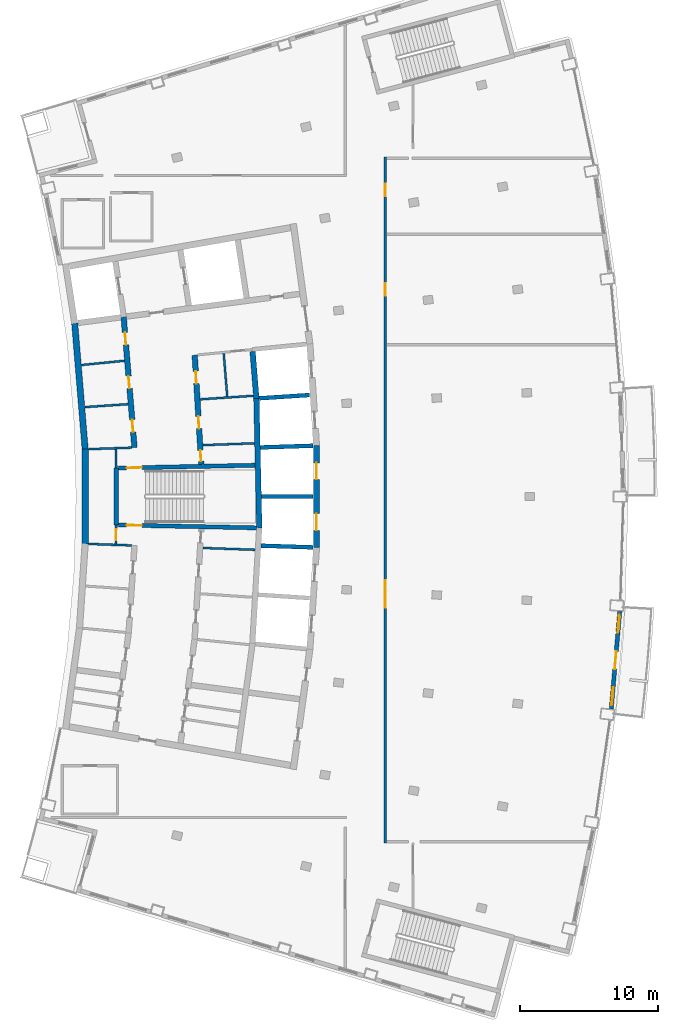
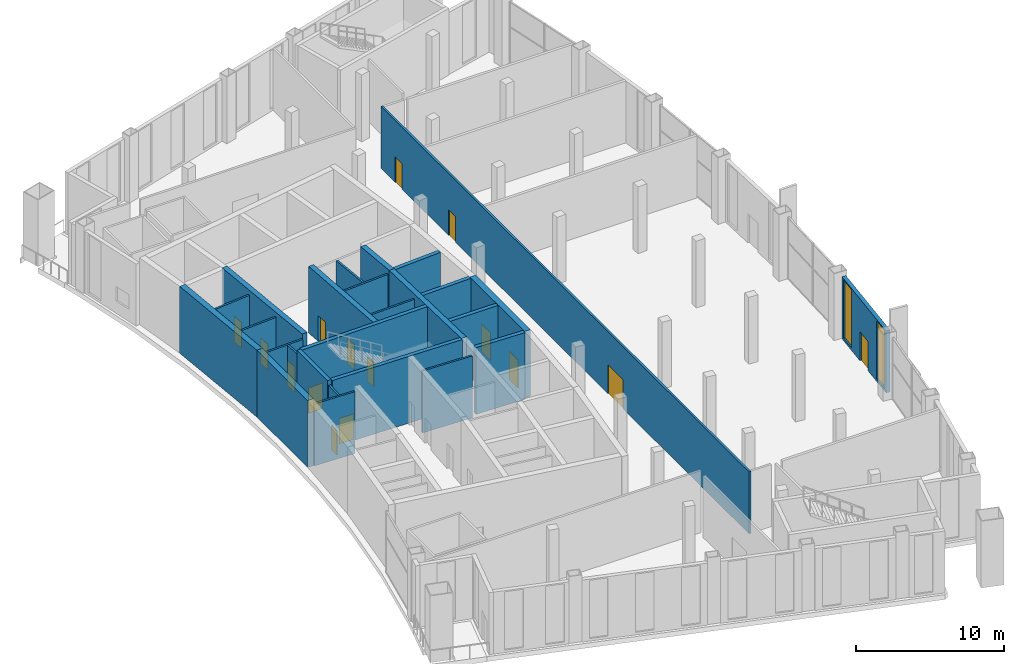
# One storey, part 8 of 13: 26 walls, 15 doors, 2 windows, 17 openings.
"""IFC4 building model written with IfcOpenShell, lengths in metres."""

from ifc_helpers import new_model, si_unit, direction, frame, frame_2d, origin, place, context, subcontext, project, spatial, rectangle, extrude, material, layer, layer_set, type_object, element, fill, save


model = new_model("IFC4")

# Units and contexts
model_context = context("Model", 3, precision=1e-05, world=origin(), true_north=direction((0.0, 1.0)))
body_context = subcontext(model_context, "Body", "Model", "MODEL_VIEW")
ifc_project = project(units=[si_unit("LENGTHUNIT", "METRE"), si_unit("AREAUNIT", "SQUARE_METRE"), si_unit("VOLUMEUNIT", "CUBIC_METRE"), si_unit("PLANEANGLEUNIT", "RADIAN"), si_unit("MASSUNIT", "GRAM", prefix="KILO")], contexts=[model_context])

# Site, building, storey
site_placement = place(None, origin())
site = spatial("IfcSite", under=ifc_project, at=site_placement, CompositionType="ELEMENT")
building_placement = place(site_placement, origin())
building = spatial("IfcBuilding", under=site, at=building_placement, Name="Alderwake Tower", CompositionType="ELEMENT")
storey_placement = place(building_placement, frame((0.0, 0.0, 304.5)))
storey = spatial("IfcBuildingStorey", under=building, at=storey_placement, Name="L74", CompositionType="ELEMENT", Elevation=304.5)

# Walls
ifc_material_1 = material(Name="Gypsum shaft wall system, rated")
ifc_layer_1 = layer(ifc_material_1, 0.14990234375)
ifc_layer_set_1 = layer_set([ifc_layer_1], Name="Core riser partition 150")
wall_type_1 = type_object("IfcWallType", Name="Core riser partition 150", PredefinedType="PARTITIONING", material=ifc_layer_set_1)
wall_1_placement = place(storey_placement, frame((25.1904296875, 57.276611328125, 0.0), z_axis=(0.0, 0.0, 1.0), x_axis=(0.999373547283, -0.03539086028, 0.0)))
element("IfcWall", 1, at=wall_1_placement, inside=storey, type_object=wall_type_1, Name="CW/L74/PR-37_+86", PredefinedType="PARTITIONING", context=body_context, shape_type="SweptSolid", body=[
    extrude(rectangle(XDim=3.794189453125, YDim=0.14990234375, at=frame_2d((1.89697265625, 0.0))), origin(), (0.0, 0.0, 1.0), 5.10009765625),
])
wall_2_placement = place(storey_placement, frame((25.191162109375, 64.723388671875, 0.0), z_axis=(0.0, 0.0, 1.0), x_axis=(0.999373256208, 0.035399078746, 0.0)))
element("IfcWall", 2, at=wall_2_placement, inside=storey, type_object=wall_type_1, Name="CW/L74/PR+37_+86", PredefinedType="PARTITIONING", context=body_context, shape_type="SweptSolid", body=[
    extrude(rectangle(XDim=3.751953125, YDim=0.14990234375, at=frame_2d((1.8759765625, 0.0))), origin(), (0.0, 0.0, 1.0), 5.10009765625),
])

# Wall, opening, door
ifc_material_2 = material(Name="Gypsum shaft wall system, rated")
ifc_layer_2 = layer(ifc_material_2, 0.14990234375)
ifc_layer_set_2 = layer_set([ifc_layer_2], Name="Core room partition 150")
wall_type_2 = type_object("IfcWallType", Name="Core room partition 150", PredefinedType="PARTITIONING", material=ifc_layer_set_2)
wall_3_placement = place(storey_placement, frame((18.918701171875, 58.94384765625, 0.0), z_axis=(0.0, 0.0, 1.0), x_axis=(-0.027811602725, -0.999613182563, 0.0)))
wall_3 = element("IfcWall", 3, at=wall_3_placement, inside=storey, type_object=wall_type_2, Name="CW/L74/PA+24_-37", PredefinedType="PARTITIONING", context=body_context, shape_type="SweptSolid", body=[
    extrude(rectangle(XDim=1.369384765625, YDim=0.14990234375, at=frame_2d((0.6845703125, 0.0))), origin(), (0.0, 0.0, 1.0), 5.10009765625),
])
opening_1_placement = place(wall_3_placement, frame((0.322998046875, 0.0, 0.0)))
opening_1 = element("IfcOpeningElement", 4, at=opening_1_placement, cuts=wall_3, Name="Opening C004", PredefinedType="OPENING", context=body_context, shape_type="SweptSolid", body=[
    extrude(rectangle(XDim=0.800048828125, YDim=2.0, at=frame_2d((0.39990234375, 1.0))), frame((0.0, 0.0849609375, 0.0), z_axis=(0.0, -1.0, 0.0), x_axis=(1.0, 0.0, 0.0)), (0.0, 0.0, 1.0), 0.169921875),
])
ifc_material_3 = material(Name="Painted steel leaf, rated", Category="steel")
door_type_1 = type_object("IfcDoorType", Name="Riser access door 800", OperationType="SINGLE_SWING_LEFT", PredefinedType="DOOR", material=ifc_material_3)
door_1_placement = place(opening_1_placement, origin())
door_1 = element("IfcDoor", 5, at=door_1_placement, inside=storey, type_object=door_type_1, Name="Riser access door", OperationType="SINGLE_SWING_RIGHT", OverallHeight=2.0, OverallWidth=0.800048828125, PredefinedType="DOOR", context=body_context, shape_type="SweptSolid", body=[
    extrude(rectangle(XDim=0.800048828125, YDim=2.0, at=frame_2d((0.39990234375, 1.0))), frame((0.0, 0.02490234375, 0.0), z_axis=(0.0, -1.0, 0.0), x_axis=(1.0, 0.0, 0.0)), (0.0, 0.0, 1.0), 0.050048828125),
])
fill(opening_1, door_1)

# Walls
wall_4_placement = place(storey_placement, frame((18.918701171875, 63.05517578125, 0.0), z_axis=(0.0, 0.0, 1.0), x_axis=(-0.027791791559, 0.99961373356, 0.0)))
element("IfcWall", 6, at=wall_4_placement, inside=storey, type_object=wall_type_2, Name="CW/L74/PA+24_+22", PredefinedType="PARTITIONING", context=body_context, shape_type="SweptSolid", body=[
    extrude(rectangle(XDim=1.370361328125, YDim=0.14990234375, at=frame_2d((0.68505859375, 0.0))), origin(), (0.0, 0.0, 1.0), 5.10009765625),
])
wall_5_placement = place(storey_placement, frame((26.954833984375, 68.245361328125, 0.0), z_axis=(0.0, 0.0, 1.0), x_axis=(-0.082122484008, 0.996622244193, 0.0)))
element("IfcWall", 7, at=wall_5_placement, inside=storey, type_object=wall_type_2, Name="CW/L74/PA+107_+70", PredefinedType="PARTITIONING", context=body_context, shape_type="SweptSolid", body=[
    extrude(rectangle(XDim=3.13037109375, YDim=0.14990234375, at=frame_2d((1.565185546875, 0.0))), origin(), (0.0, 0.0, 1.0), 5.10009765625),
])
for number, where, z_axis, x_axis, name in (
    (8, (16.91943359375, 57.5693359375, 0.0), (0.0, 0.0, 1.0), (0.99937416876, -0.035373306522, 0.0), "CW/L74/PR-37_+0"),
    (9, (16.91943359375, 64.4306640625, 0.0), (0.0, 0.0, 1.0), (0.99937416876, 0.035373306522, 0.0), "CW/L74/PR+37_+0"),
):
    element("IfcWall", number, at=place(storey_placement, frame(where, z_axis=z_axis, x_axis=x_axis)), inside=storey, type_object=wall_type_2, Name=name, PredefinedType="PARTITIONING", context=body_context, shape_type="SweptSolid", body=[
        extrude(rectangle(XDim=3.11962890625, YDim=0.14990234375, at=frame_2d((1.559814453125, 0.0))), origin(), (0.0, 0.0, 1.0), 5.10009765625),
    ])
wall_6_placement = place(storey_placement, frame((16.666748046875, 67.48046875, 0.0), z_axis=(0.0, 0.0, 1.0), x_axis=(0.997759431971, 0.066903781007, 0.0)))
element("IfcWall", 10, at=wall_6_placement, inside=storey, type_object=wall_type_2, Name="CW/L74/PR+70_+0", PredefinedType="PARTITIONING", context=body_context, shape_type="SweptSolid", body=[
    extrude(rectangle(XDim=3.116455078125, YDim=0.14990234375, at=frame_2d((1.55810546875, 0.0))), origin(), (0.0, 0.0, 1.0), 5.10009765625),
])
wall_7_placement = place(storey_placement, frame((24.992431640625, 68.038818359375, 0.0), z_axis=(0.0, 0.0, 1.0), x_axis=(0.997760236964, 0.066891774789, 0.0)))
element("IfcWall", 11, at=wall_7_placement, inside=storey, type_object=wall_type_2, Name="CW/L74/PR+70_+86", PredefinedType="PARTITIONING", context=body_context, shape_type="SweptSolid", body=[
    extrude(rectangle(XDim=3.86865234375, YDim=0.14990234375, at=frame_2d((1.934326171875, 0.0))), origin(), (0.0, 0.0, 1.0), 5.10009765625),
])
wall_8_placement = place(storey_placement, frame((16.4140625, 70.52734375, 0.0), z_axis=(0.0, 0.0, 1.0), x_axis=(0.995155156245, 0.098316911052, 0.0)))
element("IfcWall", 12, at=wall_8_placement, inside=storey, type_object=wall_type_2, Name="CW/L74/PR+103_+0", PredefinedType="PARTITIONING", context=body_context, shape_type="SweptSolid", body=[
    extrude(rectangle(XDim=3.116455078125, YDim=0.14990234375, at=frame_2d((1.55810546875, 0.0))), origin(), (0.0, 0.0, 1.0), 5.10009765625),
])
ifc_material_4 = material(Name="Concrete C70/85", Category="concrete")
ifc_layer_3 = layer(ifc_material_4, 0.449951171875)
ifc_layer_set_3 = layer_set([ifc_layer_3], Name="Core wall outer 450 C70-85")
wall_type_3 = type_object("IfcWallType", Name="Core wall outer 450 C70-85", PredefinedType="SHEAR", material=ifc_layer_set_3)
wall_9_placement = place(storey_placement, frame((16.66455078125, 57.5703125, 0.0), z_axis=(0.0, 0.0, 1.0), x_axis=(0.0, 1.0, 0.0)))
element("IfcWall", 13, at=wall_9_placement, inside=storey, type_object=wall_type_3, Name="Core wall CW.029", PredefinedType="SHEAR", context=body_context, shape_type="SweptSolid", body=[
    extrude(rectangle(XDim=6.861083984375, YDim=0.449951171875, at=frame_2d((3.4306640625, 0.0))), origin(), (0.0, 0.0, 1.0), 5.5),
])
wall_10_placement = place(storey_placement, frame((16.665283203125, 64.411865234375, 0.0), z_axis=(0.0, 0.0, 1.0), x_axis=(-0.082622520262, 0.9965809145, 0.0)))
element("IfcWall", 14, at=wall_10_placement, inside=storey, type_object=wall_type_3, Name="Core wall CW.026", PredefinedType="SHEAR", context=body_context, shape_type="SweptSolid", body=[
    extrude(rectangle(XDim=9.171875, YDim=0.449951171875, at=frame_2d((4.5859375, 0.0))), origin(), (0.0, 0.0, 1.0), 5.5),
])

# Wall, openings, doors
wall_11_placement = place(storey_placement, frame((33.4150390625, 57.30322265625, 0.0), z_axis=(0.0, 0.0, 1.0), x_axis=(0.0, 1.0, 0.0)))
wall_11 = element("IfcWall", 15, at=wall_11_placement, inside=storey, type_object=wall_type_3, Name="Core wall CW.023", PredefinedType="SHEAR", context=body_context, shape_type="SweptSolid", body=[
    extrude(rectangle(XDim=7.3935546875, YDim=0.449951171875, at=frame_2d((3.69677734375, 0.0))), origin(), (0.0, 0.0, 1.0), 5.5),
])
opening_2_placement = place(wall_11_placement, frame((1.251953125, 0.0, 0.0)))
opening_2 = element("IfcOpeningElement", 16, at=opening_2_placement, cuts=wall_11, Name="Opening LD-HP3", PredefinedType="OPENING", context=body_context, shape_type="SweptSolid", body=[
    extrude(rectangle(XDim=1.199951171875, YDim=2.300048828125, at=frame_2d((0.60009765625, 1.14990234375))), frame((0.0, 0.23486328125, 0.0), z_axis=(0.0, -1.0, 0.0), x_axis=(1.0, 0.0, 0.0)), (0.0, 0.0, 1.0), 0.469970703125),
])
opening_3_placement = place(wall_11_placement, frame((4.94140625, 0.0, 0.0)))
opening_3 = element("IfcOpeningElement", 17, at=opening_3_placement, cuts=wall_11, Name="Opening LD-HP4", PredefinedType="OPENING", context=body_context, shape_type="SweptSolid", body=[
    extrude(rectangle(XDim=1.199951171875, YDim=2.300048828125, at=frame_2d((0.60009765625, 1.14990234375))), frame((0.0, 0.23486328125, 0.0), z_axis=(0.0, -1.0, 0.0), x_axis=(1.0, 0.0, 0.0)), (0.0, 0.0, 1.0), 0.469970703125),
])
ifc_material_5 = material(Name="Stainless steel sliding leaf", Category="steel")
door_type_2 = type_object("IfcDoorType", Name="Lift landing door 1200", OperationType="SLIDING_TO_LEFT", PredefinedType="DOOR", material=ifc_material_5)
door_2_placement = place(opening_2_placement, origin())
door_2 = element("IfcDoor", 18, at=door_2_placement, inside=storey, type_object=door_type_2, Name="Lift landing door HP3", OperationType="SLIDING_TO_LEFT", OverallHeight=2.300048828125, OverallWidth=1.199951171875, PredefinedType="DOOR", context=body_context, shape_type="SweptSolid", body=[
    extrude(rectangle(XDim=1.199951171875, YDim=2.300048828125, at=frame_2d((0.60009765625, 1.14990234375))), frame((0.0, 0.02490234375, 0.0), z_axis=(0.0, -1.0, 0.0), x_axis=(1.0, 0.0, 0.0)), (0.0, 0.0, 1.0), 0.050048828125),
])
fill(opening_2, door_2)
door_3_placement = place(opening_3_placement, origin())
door_3 = element("IfcDoor", 19, at=door_3_placement, inside=storey, type_object=door_type_2, Name="Lift landing door HP4", OperationType="SLIDING_TO_LEFT", OverallHeight=2.300048828125, OverallWidth=1.199951171875, PredefinedType="DOOR", context=body_context, shape_type="SweptSolid", body=[
    extrude(rectangle(XDim=1.199951171875, YDim=2.300048828125, at=frame_2d((0.60009765625, 1.14990234375))), frame((0.0, 0.02490234375, 0.0), z_axis=(0.0, -1.0, 0.0), x_axis=(1.0, 0.0, 0.0)), (0.0, 0.0, 1.0), 0.050048828125),
])
fill(opening_3, door_3)

# Walls
ifc_material_6 = material(Name="Concrete C70/85", Category="concrete")
ifc_layer_4 = layer(ifc_material_6, 0.300048828125)
ifc_layer_set_4 = layer_set([ifc_layer_4], Name="Core wall shaft 300 C70-85")
wall_type_4 = type_object("IfcWallType", Name="Core wall shaft 300 C70-85", PredefinedType="SHEAR", material=ifc_layer_set_4)
wall_12_placement = place(storey_placement, frame((29.400634765625, 57.441650390625, 0.0), z_axis=(0.0, 0.0, 1.0), x_axis=(0.999473209295, -0.032454643762, 0.0)))
element("IfcWall", 20, at=wall_12_placement, inside=storey, type_object=wall_type_4, Name="Core wall CW.075", PredefinedType="SHEAR", context=body_context, shape_type="SweptSolid", body=[
    extrude(rectangle(XDim=3.76123046875, YDim=0.300048828125, at=frame_2d((1.880615234375, 0.0))), origin(), (0.0, 0.0, 1.0), 5.5),
])
wall_13_placement = place(storey_placement, frame((29.426025390625, 61.0, 0.0), z_axis=(0.0, 0.0, 1.0), x_axis=(1.0, 0.0, 0.0)))
element("IfcWall", 21, at=wall_13_placement, inside=storey, type_object=wall_type_4, Name="Core wall CW.048", PredefinedType="SHEAR", context=body_context, shape_type="SweptSolid", body=[
    extrude(rectangle(XDim=3.73388671875, YDim=0.300048828125, at=frame_2d((1.866943359375, 0.0))), origin(), (0.0, 0.0, 1.0), 5.5),
])
wall_14_placement = place(storey_placement, frame((29.347412109375, 64.556396484375, 0.0), z_axis=(0.0, 0.0, 1.0), x_axis=(0.999471295141, 0.032513538546, 0.0)))
element("IfcWall", 22, at=wall_14_placement, inside=storey, type_object=wall_type_4, Name="Core wall CW.058", PredefinedType="SHEAR", context=body_context, shape_type="SweptSolid", body=[
    extrude(rectangle(XDim=3.814453125, YDim=0.300048828125, at=frame_2d((1.9072265625, 0.0))), origin(), (0.0, 0.0, 1.0), 5.5),
])
wall_15_placement = place(storey_placement, frame((29.268798828125, 68.115478515625, 0.0), z_axis=(0.0, 0.0, 1.0), x_axis=(0.99788697526, 0.064973722435, 0.0)))
element("IfcWall", 23, at=wall_15_placement, inside=storey, type_object=wall_type_4, Name="Core wall CW.061", PredefinedType="SHEAR", context=body_context, shape_type="SweptSolid", body=[
    extrude(rectangle(XDim=3.659912109375, YDim=0.300048828125, at=frame_2d((1.830078125, 0.0))), origin(), (0.0, 0.0, 1.0), 5.5),
])

# Wall, openings, doors
ifc_material_7 = material(Name="Concrete C70/85", Category="concrete")
ifc_layer_5 = layer(ifc_material_7, 0.39990234375)
ifc_layer_set_5 = layer_set([ifc_layer_5], Name="Core wall spine 400 C70-85")
wall_type_5 = type_object("IfcWallType", Name="Core wall spine 400 C70-85", PredefinedType="SHEAR", material=ifc_layer_set_5)
wall_16_placement = place(storey_placement, frame((19.452392578125, 74.014892578125, 0.0), z_axis=(0.0, 0.0, 1.0), x_axis=(0.082628585297, -0.996580411654, 0.0)))
wall_16 = element("IfcWall", 24, at=wall_16_placement, inside=storey, type_object=wall_type_5, Name="Core wall CW.031", PredefinedType="SHEAR", context=body_context, shape_type="SweptSolid", body=[
    extrude(rectangle(XDim=9.499267578125, YDim=0.39990234375, at=frame_2d((4.74951171875, 0.0))), origin(), (0.0, 0.0, 1.0), 5.5),
])
opening_4_placement = place(wall_16_placement, frame((7.468017578125, 0.0, 0.0)))
opening_4 = element("IfcOpeningElement", 25, at=opening_4_placement, cuts=wall_16, Name="Opening C053", PredefinedType="OPENING", context=body_context, shape_type="SweptSolid", body=[
    extrude(rectangle(XDim=0.89990234375, YDim=2.10009765625, at=frame_2d((0.449951171875, 1.050048828125))), frame((0.0, 0.2099609375, 0.0), z_axis=(0.0, -1.0, 0.0), x_axis=(1.0, 0.0, 0.0)), (0.0, 0.0, 1.0), 0.419921875),
])
opening_5_placement = place(wall_16_placement, frame((4.30322265625, 0.0, 0.0)))
opening_5 = element("IfcOpeningElement", 26, at=opening_5_placement, cuts=wall_16, Name="Opening C055", PredefinedType="OPENING", context=body_context, shape_type="SweptSolid", body=[
    extrude(rectangle(XDim=0.89990234375, YDim=2.10009765625, at=frame_2d((0.449951171875, 1.050048828125))), frame((0.0, 0.2099609375, 0.0), z_axis=(0.0, -1.0, 0.0), x_axis=(1.0, 0.0, 0.0)), (0.0, 0.0, 1.0), 0.419921875),
])
opening_6_placement = place(wall_16_placement, frame((1.138671875, 0.0, 0.0)))
opening_6 = element("IfcOpeningElement", 27, at=opening_6_placement, cuts=wall_16, Name="Opening C056", PredefinedType="OPENING", context=body_context, shape_type="SweptSolid", body=[
    extrude(rectangle(XDim=0.89990234375, YDim=2.10009765625, at=frame_2d((0.449951171875, 1.050048828125))), frame((0.0, 0.2099609375, 0.0), z_axis=(0.0, -1.0, 0.0), x_axis=(1.0, 0.0, 0.0)), (0.0, 0.0, 1.0), 0.419921875),
])
ifc_material_8 = material(Name="Painted steel leaf", Category="steel")
door_type_3 = type_object("IfcDoorType", Name="Core room door 900", OperationType="SINGLE_SWING_LEFT", PredefinedType="DOOR", material=ifc_material_8)
door_4_placement = place(opening_4_placement, origin())
door_4 = element("IfcDoor", 28, at=door_4_placement, inside=storey, type_object=door_type_3, Name="Room door", OperationType="SINGLE_SWING_LEFT", OverallHeight=2.10009765625, OverallWidth=0.89990234375, PredefinedType="DOOR", context=body_context, shape_type="SweptSolid", body=[
    extrude(rectangle(XDim=0.89990234375, YDim=2.10009765625, at=frame_2d((0.449951171875, 1.050048828125))), frame((0.0, 0.02490234375, 0.0), z_axis=(0.0, -1.0, 0.0), x_axis=(1.0, 0.0, 0.0)), (0.0, 0.0, 1.0), 0.050048828125),
])
fill(opening_4, door_4)
door_5_placement = place(opening_5_placement, origin())
door_5 = element("IfcDoor", 29, at=door_5_placement, inside=storey, type_object=door_type_3, Name="Room door", OperationType="SINGLE_SWING_RIGHT", OverallHeight=2.10009765625, OverallWidth=0.89990234375, PredefinedType="DOOR", context=body_context, shape_type="SweptSolid", body=[
    extrude(rectangle(XDim=0.89990234375, YDim=2.10009765625, at=frame_2d((0.449951171875, 1.050048828125))), frame((0.0, 0.02490234375, 0.0), z_axis=(0.0, -1.0, 0.0), x_axis=(1.0, 0.0, 0.0)), (0.0, 0.0, 1.0), 0.050048828125),
])
fill(opening_5, door_5)
door_6_placement = place(opening_6_placement, origin())
door_6 = element("IfcDoor", 30, at=door_6_placement, inside=storey, type_object=door_type_3, Name="Room door", OperationType="SINGLE_SWING_LEFT", OverallHeight=2.10009765625, OverallWidth=0.89990234375, PredefinedType="DOOR", context=body_context, shape_type="SweptSolid", body=[
    extrude(rectangle(XDim=0.89990234375, YDim=2.10009765625, at=frame_2d((0.449951171875, 1.050048828125))), frame((0.0, 0.02490234375, 0.0), z_axis=(0.0, -1.0, 0.0), x_axis=(1.0, 0.0, 0.0)), (0.0, 0.0, 1.0), 0.050048828125),
])
fill(opening_6, door_6)

wall_17_placement = place(storey_placement, frame((25.073974609375, 63.335693359375, 0.0), z_axis=(0.0, 0.0, 1.0), x_axis=(-0.059848641072, 0.998207463487, 0.0)))
wall_17 = element("IfcWall", 31, at=wall_17_placement, inside=storey, type_object=wall_type_5, Name="Core wall CW.045", PredefinedType="SHEAR", context=body_context, shape_type="SweptSolid", body=[
    extrude(rectangle(XDim=7.913818359375, YDim=0.39990234375, at=frame_2d((3.95703125, 0.0))), origin(), (0.0, 0.0, 1.0), 5.5),
])
opening_7_placement = place(wall_17_placement, frame((0.216064453125, 0.0, 0.0)))
opening_7 = element("IfcOpeningElement", 32, at=opening_7_placement, cuts=wall_17, Name="Opening C005", PredefinedType="OPENING", context=body_context, shape_type="SweptSolid", body=[
    extrude(rectangle(XDim=0.800048828125, YDim=2.0, at=frame_2d((0.39990234375, 1.0))), frame((0.0, 0.2099609375, 0.0), z_axis=(0.0, -1.0, 0.0), x_axis=(1.0, 0.0, 0.0)), (0.0, 0.0, 1.0), 0.419921875),
])
opening_8_placement = place(wall_17_placement, frame((5.856201171875, 0.0, 0.0)))
opening_8 = element("IfcOpeningElement", 33, at=opening_8_placement, cuts=wall_17, Name="Opening C024", PredefinedType="OPENING", context=body_context, shape_type="SweptSolid", body=[
    extrude(rectangle(XDim=0.89990234375, YDim=2.10009765625, at=frame_2d((0.449951171875, 1.050048828125))), frame((0.0, 0.2099609375, 0.0), z_axis=(0.0, -1.0, 0.0), x_axis=(1.0, 0.0, 0.0)), (0.0, 0.0, 1.0), 0.419921875),
])
opening_9_placement = place(wall_17_placement, frame((2.590087890625, 0.0, 0.0)))
opening_9 = element("IfcOpeningElement", 34, at=opening_9_placement, cuts=wall_17, Name="Opening C059", PredefinedType="OPENING", context=body_context, shape_type="SweptSolid", body=[
    extrude(rectangle(XDim=0.89990234375, YDim=2.10009765625, at=frame_2d((0.449951171875, 1.050048828125))), frame((0.0, 0.2099609375, 0.0), z_axis=(0.0, -1.0, 0.0), x_axis=(1.0, 0.0, 0.0)), (0.0, 0.0, 1.0), 0.419921875),
])
door_7_placement = place(opening_8_placement, origin())
door_7 = element("IfcDoor", 35, at=door_7_placement, inside=storey, type_object=door_type_3, Name="Room door", OperationType="SINGLE_SWING_LEFT", OverallHeight=2.10009765625, OverallWidth=0.89990234375, PredefinedType="DOOR", context=body_context, shape_type="SweptSolid", body=[
    extrude(rectangle(XDim=0.89990234375, YDim=2.10009765625, at=frame_2d((0.449951171875, 1.050048828125))), frame((0.0, 0.02490234375, 0.0), z_axis=(0.0, -1.0, 0.0), x_axis=(1.0, 0.0, 0.0)), (0.0, 0.0, 1.0), 0.050048828125),
])
fill(opening_8, door_7)
door_8_placement = place(opening_9_placement, origin())
door_8 = element("IfcDoor", 36, at=door_8_placement, inside=storey, type_object=door_type_3, Name="Room door", OperationType="SINGLE_SWING_RIGHT", OverallHeight=2.10009765625, OverallWidth=0.89990234375, PredefinedType="DOOR", context=body_context, shape_type="SweptSolid", body=[
    extrude(rectangle(XDim=0.89990234375, YDim=2.10009765625, at=frame_2d((0.449951171875, 1.050048828125))), frame((0.0, 0.02490234375, 0.0), z_axis=(0.0, -1.0, 0.0), x_axis=(1.0, 0.0, 0.0)), (0.0, 0.0, 1.0), 0.050048828125),
])
fill(opening_9, door_8)
door_9_placement = place(opening_7_placement, origin())
door_9 = element("IfcDoor", 37, at=door_9_placement, inside=storey, type_object=door_type_1, Name="Riser access door", OperationType="SINGLE_SWING_LEFT", OverallHeight=2.0, OverallWidth=0.800048828125, PredefinedType="DOOR", context=body_context, shape_type="SweptSolid", body=[
    extrude(rectangle(XDim=0.800048828125, YDim=2.0, at=frame_2d((0.39990234375, 1.0))), frame((0.0, 0.02490234375, 0.0), z_axis=(0.0, -1.0, 0.0), x_axis=(1.0, 0.0, 0.0)), (0.0, 0.0, 1.0), 0.050048828125),
])
fill(opening_7, door_9)

# Walls
wall_18_placement = place(storey_placement, frame((29.276611328125, 58.71826171875, 0.0), z_axis=(0.0, 0.0, 1.0), x_axis=(-0.022119171053, 0.999755341207, 0.0)))
element("IfcWall", 38, at=wall_18_placement, inside=storey, type_object=wall_type_5, Name="Core wall CW.007", PredefinedType="SHEAR", context=body_context, shape_type="SweptSolid", body=[
    extrude(rectangle(XDim=9.392822265625, YDim=0.39990234375, at=frame_2d((4.6962890625, 0.0))), origin(), (0.0, 0.0, 1.0), 5.5),
])
wall_19_placement = place(storey_placement, frame((29.069580078125, 68.09619140625, 0.0), z_axis=(0.0, 0.0, 1.0), x_axis=(-0.080544811251, 0.996750988653, 0.0)))
element("IfcWall", 39, at=wall_19_placement, inside=storey, type_object=wall_type_5, Name="Core wall CW.003", PredefinedType="SHEAR", context=body_context, shape_type="SweptSolid", body=[
    extrude(rectangle(XDim=3.409912109375, YDim=0.39990234375, at=frame_2d((1.705078125, 0.0))), origin(), (0.0, 0.0, 1.0), 5.5),
])
ifc_material_9 = material(Name="Concrete C70/85", Category="concrete")
ifc_layer_6 = layer(ifc_material_9, 0.300048828125)
ifc_layer_set_6 = layer_set([ifc_layer_6], Name="Core wall stair enclosure 300 C70-85")
wall_type_6 = type_object("IfcWallType", Name="Core wall stair enclosure 300 C70-85", PredefinedType="SHEAR", material=ifc_layer_set_6)
wall_20_placement = place(storey_placement, frame((18.918701171875, 58.940673828125, 0.0), z_axis=(0.0, 0.0, 1.0), x_axis=(0.0, 1.0, 0.0)))
element("IfcWall", 40, at=wall_20_placement, inside=storey, type_object=wall_type_6, Name="Core wall CW.024", PredefinedType="SHEAR", context=body_context, shape_type="SweptSolid", body=[
    extrude(rectangle(XDim=4.11962890625, YDim=0.300048828125, at=frame_2d((2.059814453125, 0.0))), origin(), (0.0, 0.0, 1.0), 5.5),
])

# Wall, opening, door
wall_21_placement = place(storey_placement, frame((29.076416015625, 58.73095703125, 0.0), z_axis=(0.0, 0.0, 1.0), x_axis=(-0.99978356433, 0.020804434533, 0.0)))
wall_21 = element("IfcWall", 41, at=wall_21_placement, inside=storey, type_object=wall_type_6, Name="Core wall CW.074", PredefinedType="SHEAR", context=body_context, shape_type="SweptSolid", body=[
    extrude(rectangle(XDim=10.010009765625, YDim=0.300048828125, at=frame_2d((5.0048828125, 0.0))), origin(), (0.0, 0.0, 1.0), 5.5),
])
opening_10_placement = place(wall_21_placement, frame((8.309814453125, 0.0, 0.0)))
opening_10 = element("IfcOpeningElement", 42, at=opening_10_placement, cuts=wall_21, Name="Opening C063", PredefinedType="OPENING", context=body_context, shape_type="SweptSolid", body=[
    extrude(rectangle(XDim=1.10009765625, YDim=2.10009765625, at=frame_2d((0.550048828125, 1.050048828125))), frame((0.0, 0.159912109375, 0.0), z_axis=(0.0, -1.0, 0.0), x_axis=(1.0, 0.0, 0.0)), (0.0, 0.0, 1.0), 0.320068359375),
])
ifc_material_10 = material(Name="Steel-framed fire door leaf", Category="steel")
door_type_4 = type_object("IfcDoorType", Name="Core stair door 1100 fire-rated", OperationType="SINGLE_SWING_LEFT", PredefinedType="DOOR", material=ifc_material_10)
door_10_placement = place(opening_10_placement, origin())
door_10 = element("IfcDoor", 43, at=door_10_placement, inside=storey, type_object=door_type_4, Name="Stair door", OperationType="SINGLE_SWING_LEFT", OverallHeight=2.10009765625, OverallWidth=1.10009765625, PredefinedType="DOOR", context=body_context, shape_type="SweptSolid", body=[
    extrude(rectangle(XDim=1.10009765625, YDim=2.10009765625, at=frame_2d((0.550048828125, 1.050048828125))), frame((0.0, 0.02490234375, 0.0), z_axis=(0.0, -1.0, 0.0), x_axis=(1.0, 0.0, 0.0)), (0.0, 0.0, 1.0), 0.050048828125),
])
fill(opening_10, door_10)

wall_22_placement = place(storey_placement, frame((19.068603515625, 63.060791015625, 0.0), z_axis=(0.0, 0.0, 1.0), x_axis=(0.999783782948, 0.020793925895, 0.0)))
wall_22 = element("IfcWall", 44, at=wall_22_placement, inside=storey, type_object=wall_type_6, Name="Core wall CW.057", PredefinedType="SHEAR", context=body_context, shape_type="SweptSolid", body=[
    extrude(rectangle(XDim=9.909423828125, YDim=0.300048828125, at=frame_2d((4.95458984375, 0.0))), origin(), (0.0, 0.0, 1.0), 5.5),
])
opening_11_placement = place(wall_22_placement, frame((0.60009765625, 0.0, 0.0)))
opening_11 = element("IfcOpeningElement", 45, at=opening_11_placement, cuts=wall_22, Name="Opening C064", PredefinedType="OPENING", context=body_context, shape_type="SweptSolid", body=[
    extrude(rectangle(XDim=1.10009765625, YDim=2.10009765625, at=frame_2d((0.550048828125, 1.050048828125))), frame((0.0, 0.159912109375, 0.0), z_axis=(0.0, -1.0, 0.0), x_axis=(1.0, 0.0, 0.0)), (0.0, 0.0, 1.0), 0.320068359375),
])
door_11_placement = place(opening_11_placement, origin())
door_11 = element("IfcDoor", 46, at=door_11_placement, inside=storey, type_object=door_type_4, Name="Stair door", OperationType="SINGLE_SWING_RIGHT", OverallHeight=2.10009765625, OverallWidth=1.10009765625, PredefinedType="DOOR", context=body_context, shape_type="SweptSolid", body=[
    extrude(rectangle(XDim=1.10009765625, YDim=2.10009765625, at=frame_2d((0.550048828125, 1.050048828125))), frame((0.0, 0.02490234375, 0.0), z_axis=(0.0, -1.0, 0.0), x_axis=(1.0, 0.0, 0.0)), (0.0, 0.0, 1.0), 0.050048828125),
])
fill(opening_11, door_11)

# Wall, openings, doors
ifc_material_11 = material(Name="Gypsum board on metal studs, rated")
ifc_layer_7 = layer(ifc_material_11, 0.159912109375)
ifc_layer_set_7 = layer_set([ifc_layer_7], Name="Corridor wall 160")
wall_type_7 = type_object("IfcWallType", Name="Corridor wall 160", PredefinedType="PARTITIONING", material=ifc_layer_set_7)
wall_23_placement = place(storey_placement, frame((38.39990234375, 35.919921875, 0.0), z_axis=(0.0, 0.0, 1.0), x_axis=(0.0, 1.0, 0.0)))
wall_23 = element("IfcWall", 47, at=wall_23_placement, inside=storey, type_object=wall_type_7, Name="WL/L74/W23", PredefinedType="PARTITIONING", context=body_context, shape_type="SweptSolid", body=[
    extrude(rectangle(XDim=49.66015625, YDim=0.159912109375, at=frame_2d((24.830078125, 0.0))), origin(), (0.0, 0.0, 1.0), 5.10009765625),
])
opening_12_placement = place(wall_23_placement, frame((17.030029296875, 0.0, 0.0)))
opening_12 = element("IfcOpeningElement", 48, at=opening_12_placement, cuts=wall_23, Name="Opening L74-01", PredefinedType="OPENING", context=body_context, shape_type="SweptSolid", body=[
    extrude(rectangle(XDim=2.0, YDim=2.39990234375, at=frame_2d((1.0, 1.199951171875))), frame((0.0, 0.08984375, 0.0), z_axis=(0.0, -1.0, 0.0), x_axis=(1.0, 0.0, 0.0)), (0.0, 0.0, 1.0), 0.179931640625),
])
opening_13_placement = place(wall_23_placement, frame((39.6298828125, 0.0, 0.0)))
opening_13 = element("IfcOpeningElement", 49, at=opening_13_placement, cuts=wall_23, Name="Opening L74-02", PredefinedType="OPENING", context=body_context, shape_type="SweptSolid", body=[
    extrude(rectangle(XDim=0.89990234375, YDim=2.10009765625, at=frame_2d((0.449951171875, 1.050048828125))), frame((0.0, 0.08984375, 0.0), z_axis=(0.0, -1.0, 0.0), x_axis=(1.0, 0.0, 0.0)), (0.0, 0.0, 1.0), 0.179931640625),
])
opening_14_placement = place(wall_23_placement, frame((46.830078125, 0.0, 0.0)))
opening_14 = element("IfcOpeningElement", 50, at=opening_14_placement, cuts=wall_23, Name="Opening L74-03", PredefinedType="OPENING", context=body_context, shape_type="SweptSolid", body=[
    extrude(rectangle(XDim=0.89990234375, YDim=2.10009765625, at=frame_2d((0.449951171875, 1.050048828125))), frame((0.0, 0.08984375, 0.0), z_axis=(0.0, -1.0, 0.0), x_axis=(1.0, 0.0, 0.0)), (0.0, 0.0, 1.0), 0.179931640625),
])
ifc_material_12 = material(Name="Timber leaves with glazed panels", Category="wood")
door_type_5 = type_object("IfcDoorType", Name="Hall double door 2000", OperationType="DOUBLE_DOOR_SINGLE_SWING", PredefinedType="DOOR", material=ifc_material_12)
door_12_placement = place(opening_12_placement, origin())
door_12 = element("IfcDoor", 51, at=door_12_placement, inside=storey, type_object=door_type_5, Name="DR/L74/01", OperationType="DOUBLE_DOOR_SINGLE_SWING", OverallHeight=2.39990234375, OverallWidth=2.0, PredefinedType="DOOR", context=body_context, shape_type="SweptSolid", body=[
    extrude(rectangle(XDim=2.0, YDim=2.39990234375, at=frame_2d((1.0, 1.199951171875))), frame((0.0, 0.02490234375, 0.0), z_axis=(0.0, -1.0, 0.0), x_axis=(1.0, 0.0, 0.0)), (0.0, 0.0, 1.0), 0.050048828125),
])
fill(opening_12, door_12)
ifc_material_13 = material(Name="Painted timber leaf", Category="wood")
door_type_6 = type_object("IfcDoorType", Name="Room door 900", OperationType="SINGLE_SWING_LEFT", PredefinedType="DOOR", material=ifc_material_13)
door_13_placement = place(opening_13_placement, origin())
door_13 = element("IfcDoor", 52, at=door_13_placement, inside=storey, type_object=door_type_6, Name="DR/L74/02", OperationType="SINGLE_SWING_LEFT", OverallHeight=2.10009765625, OverallWidth=0.89990234375, PredefinedType="DOOR", context=body_context, shape_type="SweptSolid", body=[
    extrude(rectangle(XDim=0.89990234375, YDim=2.10009765625, at=frame_2d((0.449951171875, 1.050048828125))), frame((0.0, 0.02490234375, 0.0), z_axis=(0.0, -1.0, 0.0), x_axis=(1.0, 0.0, 0.0)), (0.0, 0.0, 1.0), 0.050048828125),
])
fill(opening_13, door_13)
door_14_placement = place(opening_14_placement, origin())
door_14 = element("IfcDoor", 53, at=door_14_placement, inside=storey, type_object=door_type_6, Name="DR/L74/03", OperationType="SINGLE_SWING_LEFT", OverallHeight=2.10009765625, OverallWidth=0.89990234375, PredefinedType="DOOR", context=body_context, shape_type="SweptSolid", body=[
    extrude(rectangle(XDim=0.89990234375, YDim=2.10009765625, at=frame_2d((0.449951171875, 1.050048828125))), frame((0.0, 0.02490234375, 0.0), z_axis=(0.0, -1.0, 0.0), x_axis=(1.0, 0.0, 0.0)), (0.0, 0.0, 1.0), 0.050048828125),
])
fill(opening_14, door_14)

# Wall, openings, door, windows
ifc_material_14 = material(Name="Precast concrete C50/60 spandrel panel", Category="concrete")
ifc_layer_8 = layer(ifc_material_14, 0.300048828125)
ifc_layer_set_8 = layer_set([ifc_layer_8], Name="External wall EW1 Precast concrete C50/60 spandrel")
wall_type_8 = type_object("IfcWallType", Name="External wall EW1 Precast concrete C50/60 spandrel", PredefinedType="SOLIDWALL", material=ifc_layer_set_8)
wall_24_placement = place(storey_placement, frame((54.7646484375, 45.630126953125, 0.0), z_axis=(0.0, 0.0, 1.0), x_axis=(0.087386754423, 0.996174460198, 0.0)))
wall_24 = element("IfcWall", 54, at=wall_24_placement, inside=storey, type_object=wall_type_8, Name="External wall 13", PredefinedType="SOLIDWALL", context=body_context, shape_type="SweptSolid", body=[
    extrude(rectangle(XDim=7.068359375, YDim=0.300048828125, at=frame_2d((3.5341796875, 0.0))), origin(), (0.0, 0.0, 1.0), 5.10009765625),
])
opening_15_placement = place(wall_24_placement, frame((0.251708984375, 0.0, 0.199951171875)))
opening_15 = element("IfcOpeningElement", 55, at=opening_15_placement, cuts=wall_24, Name="Opening W3", PredefinedType="OPENING", context=body_context, shape_type="SweptSolid", body=[
    extrude(rectangle(XDim=1.300048828125, YDim=4.800048828125, at=frame_2d((0.64990234375, 2.39990234375))), frame((0.0, 0.159912109375, 0.0), z_axis=(0.0, -1.0, 0.0), x_axis=(1.0, 0.0, 0.0)), (0.0, 0.0, 1.0), 0.320068359375),
])
opening_16_placement = place(wall_24_placement, frame((2.88427734375, 0.0, 0.0)))
opening_16 = element("IfcOpeningElement", 56, at=opening_16_placement, cuts=wall_24, Name="Opening D02", PredefinedType="OPENING", context=body_context, shape_type="SweptSolid", body=[
    extrude(rectangle(XDim=1.300048828125, YDim=2.39990234375, at=frame_2d((0.64990234375, 1.199951171875))), frame((0.0, 0.159912109375, 0.0), z_axis=(0.0, -1.0, 0.0), x_axis=(1.0, 0.0, 0.0)), (0.0, 0.0, 1.0), 0.320068359375),
])
opening_17_placement = place(wall_24_placement, frame((5.5166015625, 0.0, 0.199951171875)))
opening_17 = element("IfcOpeningElement", 57, at=opening_17_placement, cuts=wall_24, Name="Opening W3", PredefinedType="OPENING", context=body_context, shape_type="SweptSolid", body=[
    extrude(rectangle(XDim=1.300048828125, YDim=4.800048828125, at=frame_2d((0.64990234375, 2.39990234375))), frame((0.0, 0.159912109375, 0.0), z_axis=(0.0, -1.0, 0.0), x_axis=(1.0, 0.0, 0.0)), (0.0, 0.0, 1.0), 0.320068359375),
])
ifc_material_15 = material(Name="Bronze tinted glass in aluminium frame", Category="aluminium")
door_type_7 = type_object("IfcDoorType", Name="Balcony door BD sliding", OperationType="SLIDING_TO_LEFT", PredefinedType="DOOR", material=ifc_material_15)
door_15_placement = place(opening_16_placement, origin())
door_15 = element("IfcDoor", 58, at=door_15_placement, inside=storey, type_object=door_type_7, Name="Door D02", OperationType="SLIDING_TO_LEFT", OverallHeight=2.39990234375, OverallWidth=1.300048828125, PredefinedType="DOOR", context=body_context, shape_type="SweptSolid", body=[
    extrude(rectangle(XDim=1.300048828125, YDim=2.39990234375, at=frame_2d((0.64990234375, 1.199951171875))), frame((0.0, 0.02490234375, 0.0), z_axis=(0.0, -1.0, 0.0), x_axis=(1.0, 0.0, 0.0)), (0.0, 0.0, 1.0), 0.050048828125),
])
fill(opening_16, door_15)
ifc_material_16 = material(Name="Bronze tinted glass in aluminium frame", Category="aluminium")
window_type = type_object("IfcWindowType", Name="Window W3 amenity floor tall", PartitioningType="DOUBLE_PANEL_VERTICAL", PredefinedType="WINDOW", material=ifc_material_16)
window_1_placement = place(opening_15_placement, origin())
window_1 = element("IfcWindow", 59, at=window_1_placement, inside=storey, type_object=window_type, Name="Window W3 amenity floor tall", OverallHeight=4.800048828125, OverallWidth=1.300048828125, PartitioningType="DOUBLE_PANEL_VERTICAL", PredefinedType="WINDOW", context=body_context, shape_type="SweptSolid", body=[
    extrude(rectangle(XDim=1.300048828125, YDim=4.800048828125, at=frame_2d((0.64990234375, 2.39990234375))), frame((0.0, 0.030029296875, 0.0), z_axis=(0.0, -1.0, 0.0), x_axis=(1.0, 0.0, 0.0)), (0.0, 0.0, 1.0), 0.06005859375),
])
fill(opening_15, window_1)
window_2_placement = place(opening_17_placement, origin())
window_2 = element("IfcWindow", 60, at=window_2_placement, inside=storey, type_object=window_type, Name="Window W3 amenity floor tall", OverallHeight=4.800048828125, OverallWidth=1.300048828125, PartitioningType="DOUBLE_PANEL_VERTICAL", PredefinedType="WINDOW", context=body_context, shape_type="SweptSolid", body=[
    extrude(rectangle(XDim=1.300048828125, YDim=4.800048828125, at=frame_2d((0.64990234375, 2.39990234375))), frame((0.0, 0.030029296875, 0.0), z_axis=(0.0, -1.0, 0.0), x_axis=(1.0, 0.0, 0.0)), (0.0, 0.0, 1.0), 0.06005859375),
])
fill(opening_17, window_2)

save(model, "model.ifc")
